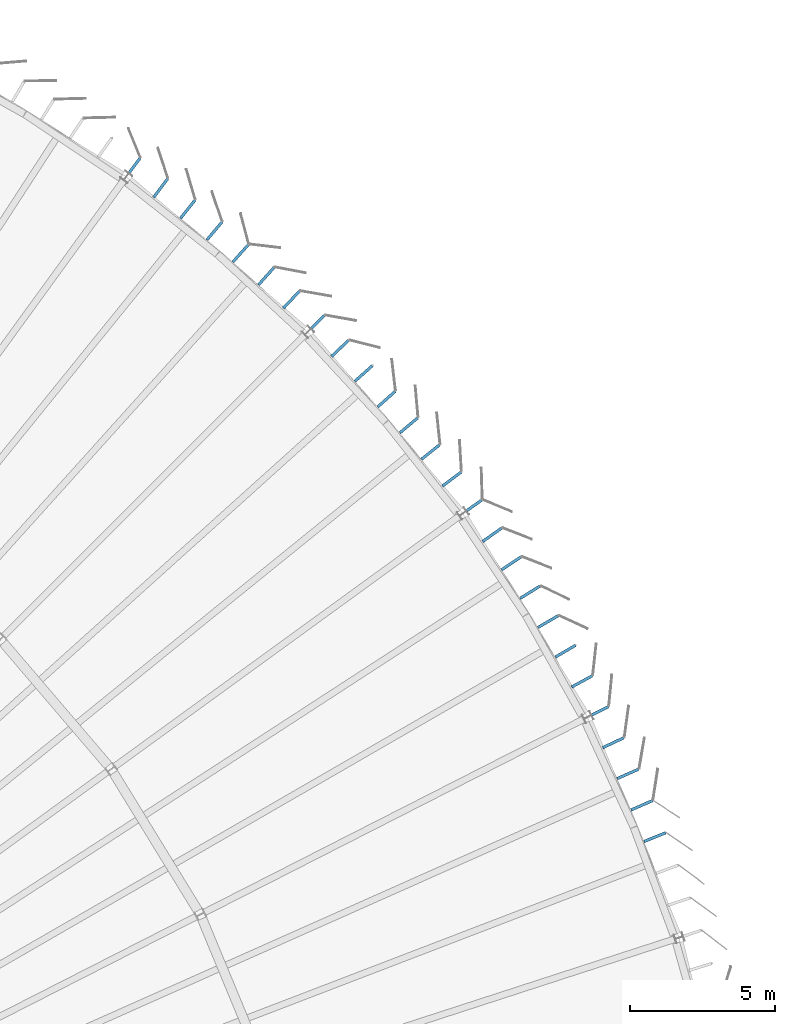
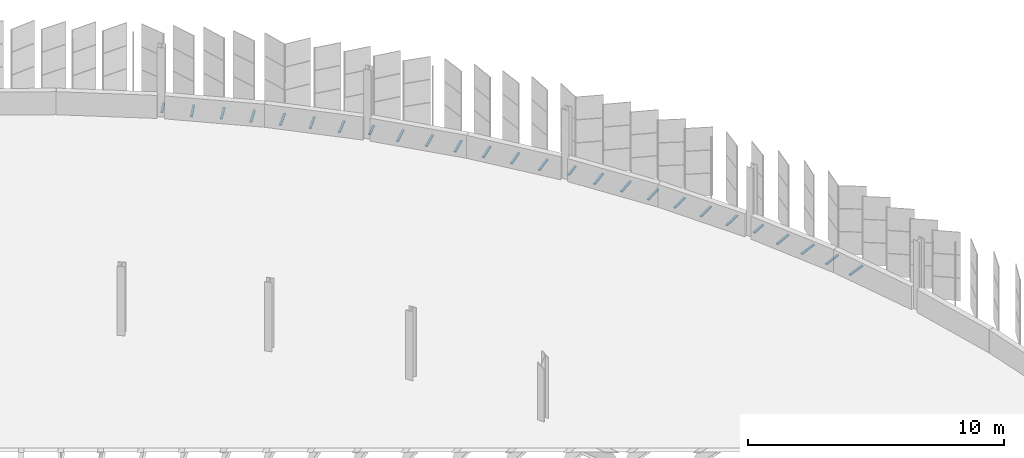
# One storey, part 174 of 199: 26 discrete accessories.
"""IFC4 building model written with IfcOpenShell, lengths in metres."""

from ifc_helpers import new_model, si_unit, direction, frame, origin, origin_2d, place, context, subcontext, project, spatial, rectangle, extrude, material, type_object, element, save


model = new_model("IFC4")

# Units and contexts
model_context = context("Model", 3, precision=1e-05, world=origin(), true_north=direction((0.0, 1.0)))
body_context = subcontext(model_context, "Body", "Model", "MODEL_VIEW")
ifc_project = project(units=[si_unit("LENGTHUNIT", "METRE"), si_unit("AREAUNIT", "SQUARE_METRE"), si_unit("VOLUMEUNIT", "CUBIC_METRE"), si_unit("PLANEANGLEUNIT", "RADIAN"), si_unit("MASSUNIT", "GRAM", prefix="KILO")], contexts=[model_context])

# Site, building, storey
site_placement = place(None, origin())
site = spatial("IfcSite", under=ifc_project, at=site_placement, CompositionType="ELEMENT")
building_placement = place(site_placement, origin())
building = spatial("IfcBuilding", under=site, at=building_placement, Name="Parallax Yard Mobility Hub", CompositionType="ELEMENT")
storey_placement = place(building_placement, frame((0.0, 0.0, 9.89990234375)))
storey = spatial("IfcBuildingStorey", under=building, at=storey_placement, Name="L03", CompositionType="ELEMENT", Elevation=9.89990234375)

# Discrete accessories
ifc_material = material(Name="Steel ASTM A36, hot-dip galvanised", Category="steel")
discrete_accessory_type = type_object("IfcDiscreteAccessoryType", Name="Hinge bracket plate 100x50", PredefinedType="BRACKET", material=ifc_material)
for number, where, z_axis, x_axis, name in (
    (1, (221.595703125, 109.694580078125, -0.02490234375), (0.0, 0.0, 1.0), (0.92658837299, 0.37607710252, 0.0), "Hinge bracket plate bay 43.4 level L03"),
    (2, (221.143310546875, 110.79248046875, -0.02490234375), (0.0, 0.0, 1.0), (0.915470971385, 0.402384021242, 0.0), "Hinge bracket plate bay 43.5 level L03"),
    (3, (220.66650390625, 111.877197265625, -0.02490234375), (0.0, 0.0, 1.0), (0.915470971385, 0.402384021242, 0.0), "Hinge bracket plate bay 43.6 level L03"),
    (4, (220.16064453125, 112.95166015625, -0.02490234375), (0.0, 0.0, 1.0), (0.903607612974, 0.428361158107, 0.0), "Hinge bracket plate bay 43.7 level L03"),
):
    element("IfcDiscreteAccessory", number, at=place(storey_placement, frame(where, z_axis=z_axis, x_axis=x_axis)), inside=storey, type_object=discrete_accessory_type, Name=name, PredefinedType="BRACKET", context=body_context, shape_type="SweptSolid", body=[
        extrude(rectangle(XDim=0.80810546875, YDim=0.10009765625, at=origin_2d()), origin(), (0.0, 0.0, 1.0), 0.050048828125),
    ])
discrete_accessory_1_placement = place(storey_placement, frame((219.700927734375, 114.05029296875, -0.02490234375), z_axis=(0.0, 0.0, 1.0), x_axis=(0.891006524188, 0.45399049974, 0.0)))
element("IfcDiscreteAccessory", 5, at=discrete_accessory_1_placement, inside=storey, type_object=discrete_accessory_type, Name="Hinge bracket plate bay 44.1 level L03", PredefinedType="BRACKET", context=body_context, shape_type="SweptSolid", body=[
    extrude(rectangle(XDim=0.654541015625, YDim=0.10009765625, at=origin_2d()), origin(), (0.0, 0.0, 1.0), 0.050048828125),
])
for number, where, z_axis, x_axis, name in (
    (6, (219.08251953125, 115.06787109375, -0.02490234375), (0.0, 0.0, 1.0), (0.877678685404, 0.479249543752, 0.0), "Hinge bracket plate bay 44.2 level L03"),
    (7, (218.510498046875, 116.108642578125, -0.02490234375), (0.0, 0.0, 1.0), (0.863635847332, 0.504116180263, 0.0), "Hinge bracket plate bay 44.3 level L03"),
    (8, (217.913330078125, 117.1318359375, -0.02490234375), (0.0, 0.0, 1.0), (0.863635847332, 0.504116180263, 0.0), "Hinge bracket plate bay 44.4 level L03"),
    (9, (217.290771484375, 118.143310546875, -0.02490234375), (0.0, 0.0, 1.0), (0.848887747723, 0.528573165953, 0.0), "Hinge bracket plate bay 44.5 level L03"),
    (10, (216.6474609375, 119.1416015625, -0.02490234375), (0.0, 0.0, 1.0), (0.833447252321, 0.552599020627, 0.0), "Hinge bracket plate bay 44.6 level L03"),
    (11, (215.9833984375, 120.126220703125, -0.02490234375), (0.0, 0.0, 1.0), (0.817327960788, 0.576172721078, 0.0), "Hinge bracket plate bay 44.7 level L03"),
):
    element("IfcDiscreteAccessory", number, at=place(storey_placement, frame(where, z_axis=z_axis, x_axis=x_axis)), inside=storey, type_object=discrete_accessory_type, Name=name, PredefinedType="BRACKET", context=body_context, shape_type="SweptSolid", body=[
        extrude(rectangle(XDim=0.80810546875, YDim=0.10009765625, at=origin_2d()), origin(), (0.0, 0.0, 1.0), 0.050048828125),
    ])
discrete_accessory_2_placement = place(storey_placement, frame((215.364501953125, 121.139404296875, -0.02490234375), z_axis=(0.0, 0.0, 1.0), x_axis=(0.817327960788, 0.576172721078, 0.0)))
element("IfcDiscreteAccessory", 12, at=discrete_accessory_2_placement, inside=storey, type_object=discrete_accessory_type, Name="Hinge bracket plate bay 45.1 level L03", PredefinedType="BRACKET", context=body_context, shape_type="SweptSolid", body=[
    extrude(rectangle(XDim=0.65234375, YDim=0.10009765625, at=origin_2d()), origin(), (0.0, 0.0, 1.0), 0.050048828125),
])
for number, where, z_axis, x_axis, name in (
    (13, (214.589111328125, 122.04541015625, -0.02490234375), (0.0, 0.0, 1.0), (0.800541050754, 0.599277920549, 0.0), "Hinge bracket plate bay 45.2 level L03"),
    (14, (213.857666015625, 122.981201171875, -0.02490234375), (0.0, 0.0, 1.0), (0.783102264348, 0.62189295186, 0.0), "Hinge bracket plate bay 45.3 level L03"),
    (15, (213.107177734375, 123.901611328125, -0.02490234375), (0.0, 0.0, 1.0), (0.765023694181, 0.644002133025, 0.0), "Hinge bracket plate bay 45.4 level L03"),
    (16, (212.33740234375, 124.806396484375, -0.02490234375), (0.0, 0.0, 1.0), (0.746321131986, 0.66558603347, 0.0), "Hinge bracket plate bay 45.5 level L03"),
    (17, (211.548828125, 125.690673828125, -0.02490234375), (0.0, 0.0, 1.0), (0.746321131986, 0.66558603347, 0.0), "Hinge bracket plate bay 45.6 level L03"),
    (18, (210.735595703125, 126.556396484375, -0.02490234375), (0.0, 0.0, 1.0), (0.727011030908, 0.686625779401, 0.0), "Hinge bracket plate bay 45.7 level L03"),
):
    element("IfcDiscreteAccessory", number, at=place(storey_placement, frame(where, z_axis=z_axis, x_axis=x_axis)), inside=storey, type_object=discrete_accessory_type, Name=name, PredefinedType="BRACKET", context=body_context, shape_type="SweptSolid", body=[
        extrude(rectangle(XDim=0.80810546875, YDim=0.10009765625, at=origin_2d()), origin(), (0.0, 0.0, 1.0), 0.050048828125),
    ])
discrete_accessory_3_placement = place(storey_placement, frame((209.958740234375, 127.458984375, -0.02490234375), z_axis=(0.0, 0.0, 1.0), x_axis=(0.707106781187, 0.707106781187, 0.0)))
element("IfcDiscreteAccessory", 19, at=discrete_accessory_3_placement, inside=storey, type_object=discrete_accessory_type, Name="Hinge bracket plate bay 46.1 level L03", PredefinedType="BRACKET", context=body_context, shape_type="SweptSolid", body=[
    extrude(rectangle(XDim=0.654541015625, YDim=0.10009765625, at=origin_2d()), origin(), (0.0, 0.0, 1.0), 0.050048828125),
])
for number, where, z_axis, x_axis, name in (
    (20, (209.055908203125, 128.23583984375, -0.02490234375), (0.0, 0.0, 1.0), (0.686625779401, 0.727011030908, 0.0), "Hinge bracket plate bay 46.2 level L03"),
    (21, (208.1904296875, 129.049072265625, -0.02490234375), (0.0, 0.0, 1.0), (0.66558603347, 0.746321131986, 0.0), "Hinge bracket plate bay 46.3 level L03"),
    (22, (207.30615234375, 129.83740234375, -0.02490234375), (0.0, 0.0, 1.0), (0.66558603347, 0.746321131986, 0.0), "Hinge bracket plate bay 46.4 level L03"),
    (23, (206.401611328125, 130.607177734375, -0.02490234375), (0.0, 0.0, 1.0), (0.644002133025, 0.765023694181, 0.0), "Hinge bracket plate bay 46.5 level L03"),
    (24, (205.4814453125, 131.357666015625, -0.02490234375), (0.0, 0.0, 1.0), (0.62189295186, 0.783102264348, 0.0), "Hinge bracket plate bay 46.6 level L03"),
    (25, (204.545654296875, 132.0888671875, -0.02490234375), (0.0, 0.0, 1.0), (0.599277920549, 0.800541050754, 0.0), "Hinge bracket plate bay 46.7 level L03"),
):
    element("IfcDiscreteAccessory", number, at=place(storey_placement, frame(where, z_axis=z_axis, x_axis=x_axis)), inside=storey, type_object=discrete_accessory_type, Name=name, PredefinedType="BRACKET", context=body_context, shape_type="SweptSolid", body=[
        extrude(rectangle(XDim=0.80810546875, YDim=0.10009765625, at=origin_2d()), origin(), (0.0, 0.0, 1.0), 0.050048828125),
    ])
discrete_accessory_4_placement = place(storey_placement, frame((203.643798828125, 132.861083984375, -0.02490234375), z_axis=(0.0, 0.0, 1.0), x_axis=(0.599277920549, 0.800541050754, 0.0)))
element("IfcDiscreteAccessory", 26, at=discrete_accessory_4_placement, inside=storey, type_object=discrete_accessory_type, Name="Hinge bracket plate bay 47.1 level L03", PredefinedType="BRACKET", context=body_context, shape_type="SweptSolid", body=[
    extrude(rectangle(XDim=0.65234375, YDim=0.10009765625, at=origin_2d()), origin(), (0.0, 0.0, 1.0), 0.050048828125),
])

save(model, "model.ifc")
